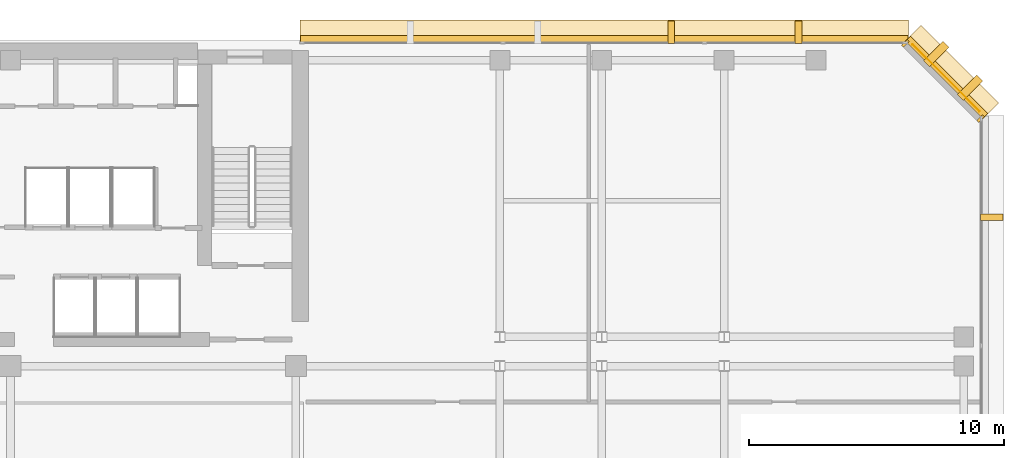
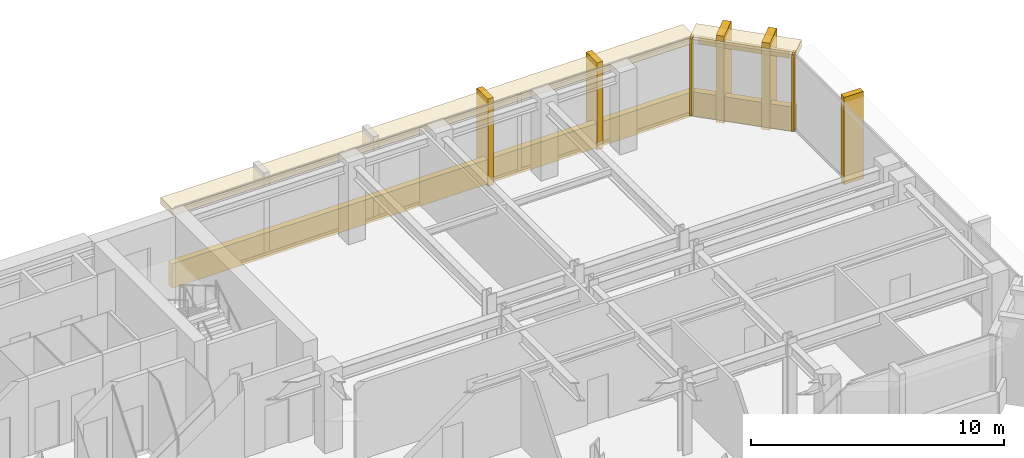
# One storey, part 12 of 12: 12 coverings.
"""IFC4 building model written with IfcOpenShell, lengths in metres."""

from ifc_helpers import new_model, si_unit, direction, frame, origin, origin_2d, place, context, subcontext, project, spatial, rectangle, extrude, material, layer, layer_set, type_object, element, save


model = new_model("IFC4")

# Units and contexts
model_context = context("Model", 3, precision=1e-05, world=origin(), true_north=direction((0.0, 1.0)))
body_context = subcontext(model_context, "Body", "Model", "MODEL_VIEW")
ifc_project = project(units=[si_unit("LENGTHUNIT", "METRE"), si_unit("AREAUNIT", "SQUARE_METRE"), si_unit("VOLUMEUNIT", "CUBIC_METRE"), si_unit("PLANEANGLEUNIT", "RADIAN"), si_unit("MASSUNIT", "GRAM", prefix="KILO")], contexts=[model_context])

# Site, building, storey
site_placement = place(None, origin())
site = spatial("IfcSite", under=ifc_project, at=site_placement, CompositionType="ELEMENT")
building_placement = place(site_placement, origin())
building = spatial("IfcBuilding", under=site, at=building_placement, Name="Kefirva Bronze Tower", CompositionType="ELEMENT")
storey_placement = place(building_placement, frame((0.0, 0.0, 211.199951171875)))
storey = spatial("IfcBuildingStorey", under=building, at=storey_placement, Name="L51", CompositionType="ELEMENT", Elevation=211.199951171875)

# Coverings
ifc_material = material(Name="Bronze anodised aluminium", Category="aluminium")
ifc_layer_1 = layer(ifc_material, 0.02001953125, Name="Bronze anodised aluminium")
ifc_layer_set_1 = layer_set([ifc_layer_1], Name="Bronze anodised aluminium")
covering_type_1 = type_object("IfcCoveringType", Name="Anodised Bronze Spandrel Cladding 20mm", PredefinedType="CLADDING", material=ifc_layer_set_1)
covering_1_placement = place(storey_placement, frame((48.70703125, 44.507080078125, 3.2900390625), z_axis=(0.0, 0.0, 1.0), x_axis=(-0.707106781187, 0.707106781187, 0.0)))
element("IfcCovering", 1, at=covering_1_placement, inside=storey, type_object=covering_type_1, Name="L51 Bronze Spandrel Cladding 8", PredefinedType="CLADDING", context=body_context, shape_type="SweptSolid", body=[
    extrude(rectangle(XDim=3.719482421875, YDim=0.02001953125, at=origin_2d()), origin(), (0.0, 0.0, 1.0), 0.39990234375),
])
for number, where, z_axis, x_axis, name in (
    (2, (50.06201171875, 42.91162109375, 0.0), (0.0, 0.0, 1.0), (-0.707106781187, 0.707106781187, 0.0), "L51 Facade Joint Closure Panel 8S"),
    (3, (47.11181640625, 45.862060546875, 0.0), (0.0, 0.0, 1.0), (-0.707106781187, 0.707106781187, 0.0), "L51 Facade Joint Closure Panel 8E"),
):
    element("IfcCovering", number, at=place(storey_placement, frame(where, z_axis=z_axis, x_axis=x_axis)), inside=storey, type_object=covering_type_1, Name=name, PredefinedType="CLADDING", context=body_context, shape_type="SweptSolid", body=[
        extrude(rectangle(XDim=0.10009765625, YDim=0.320068359375, at=origin_2d()), origin(), (0.0, 0.0, 1.0), 3.7099609375),
    ])
covering_2_placement = place(storey_placement, frame((48.728271484375, 44.5283203125, -0.16015625), z_axis=(0.0, 0.0, 1.0), x_axis=(-0.707106781187, 0.707106781187, 0.0)))
element("IfcCovering", 4, at=covering_2_placement, inside=storey, type_object=covering_type_1, Name="L51 Streamline Horizontal Spandrel Band 11", PredefinedType="CLADDING", context=body_context, shape_type="SweptSolid", body=[
    extrude(rectangle(XDim=4.28271484375, YDim=0.280029296875, at=origin_2d()), origin(), (0.0, 0.0, 1.0), 1.179931640625),
])
covering_3_placement = place(storey_placement, frame((35.302490234375, 46.0400390625, -0.16015625), z_axis=(0.0, 0.0, 1.0), x_axis=(-1.0, 0.0, 0.0)))
element("IfcCovering", 5, at=covering_3_placement, inside=storey, type_object=covering_type_1, Name="L51 Streamline Horizontal Spandrel Band 12", PredefinedType="CLADDING", context=body_context, shape_type="SweptSolid", body=[
    extrude(rectangle(XDim=23.8349609375, YDim=0.280029296875, at=origin_2d()), origin(), (0.0, 0.0, 1.0), 1.179931640625),
])
ifc_layer_2 = layer(ifc_material, 0.179931640625, Name="Bronze anodised aluminium")
ifc_layer_set_2 = layer_set([ifc_layer_2], Name="Bronze anodised aluminium")
covering_type_2 = type_object("IfcCoveringType", Name="Streamline Bronze Sunshade Eyebrow Cladding 180mm", PredefinedType="CLADDING", material=ifc_layer_set_2)
covering_4_placement = place(storey_placement, frame((48.919189453125, 44.71923828125, 3.39013671875), z_axis=(0.0, 0.0, 1.0), x_axis=(-0.707106781187, 0.707106781187, 0.0)))
element("IfcCovering", 6, at=covering_4_placement, inside=storey, type_object=covering_type_2, Name="L51 Streamline Bronze Sunshade Eyebrow 11", PredefinedType="CLADDING", context=body_context, shape_type="SweptSolid", body=[
    extrude(rectangle(XDim=4.322509765625, YDim=0.93994140625, at=origin_2d()), origin(), (0.0, 0.0, 1.0), 0.320068359375),
])
covering_5_placement = place(storey_placement, frame((35.302490234375, 46.31005859375, 3.39013671875), z_axis=(0.0, 0.0, 1.0), x_axis=(-1.0, 0.0, 0.0)))
element("IfcCovering", 7, at=covering_5_placement, inside=storey, type_object=covering_type_2, Name="L51 Streamline Bronze Sunshade Eyebrow 12", PredefinedType="CLADDING", context=body_context, shape_type="SweptSolid", body=[
    extrude(rectangle(XDim=23.875, YDim=0.93994140625, at=origin_2d()), origin(), (0.0, 0.0, 1.0), 0.320068359375),
])
ifc_layer_3 = layer(ifc_material, 0.260009765625, Name="Bronze anodised aluminium")
ifc_layer_set_3 = layer_set([ifc_layer_3], Name="Bronze anodised aluminium")
covering_type_3 = type_object("IfcCoveringType", Name="Unbroken Bronze Buttress Fin Cladding 260mm", PredefinedType="CLADDING", material=ifc_layer_set_3)
covering_6_placement = place(storey_placement, frame((50.5, 39.0400390625, -0.25), z_axis=(0.0, 0.0, 1.0), x_axis=(0.0, 1.0, 0.0)))
element("IfcCovering", 8, at=covering_6_placement, inside=storey, type_object=covering_type_3, Name="L51 Unbroken Vertical Bronze Rib Fin 14", PredefinedType="CLADDING", context=body_context, shape_type="SweptSolid", body=[
    extrude(rectangle(XDim=0.260009765625, YDim=0.8798828125, at=origin_2d()), origin(), (0.0, 0.0, 1.0), 4.2099609375),
])
for number, where, z_axis, x_axis, name in (
    (9, (49.642822265625, 44.122802734375, -0.25), (0.0, 0.0, 1.0), (-0.707106781187, 0.707106781187, 0.0), "L51 Chamfered Corner Buttress Fin Cladding 15"),
    (10, (48.32275390625, 45.44287109375, -0.25), (0.0, 0.0, 1.0), (-0.707106781187, 0.707106781187, 0.0), "L51 Chamfered Corner Buttress Fin Cladding 16"),
):
    element("IfcCovering", number, at=place(storey_placement, frame(where, z_axis=z_axis, x_axis=x_axis)), inside=storey, type_object=covering_type_3, Name=name, PredefinedType="CLADDING", context=body_context, shape_type="SweptSolid", body=[
        extrude(rectangle(XDim=0.340087890625, YDim=1.080078125, at=origin_2d()), origin(), (0.0, 0.0, 1.0), 4.2099609375),
    ])
for number, where, z_axis, x_axis, name in (
    (11, (42.9169921875, 46.300048828125, -0.25), (0.0, 0.0, 1.0), (-1.0, 0.0, 0.0), "L51 Unbroken Vertical Bronze Rib Fin 17"),
    (12, (37.919921875, 46.300048828125, -0.25), (0.0, 0.0, 1.0), (-1.0, 0.0, 0.0), "L51 Unbroken Vertical Bronze Rib Fin 18"),
):
    element("IfcCovering", number, at=place(storey_placement, frame(where, z_axis=z_axis, x_axis=x_axis)), inside=storey, type_object=covering_type_3, Name=name, PredefinedType="CLADDING", context=body_context, shape_type="SweptSolid", body=[
        extrude(rectangle(XDim=0.260009765625, YDim=0.8798828125, at=origin_2d()), origin(), (0.0, 0.0, 1.0), 4.2099609375),
    ])

save(model, "model.ifc")
